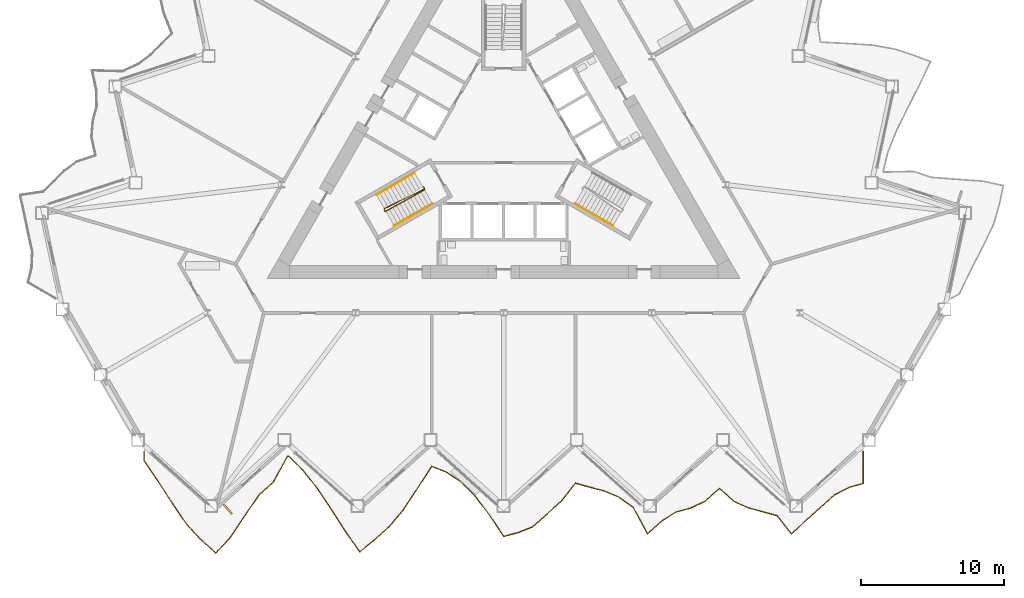
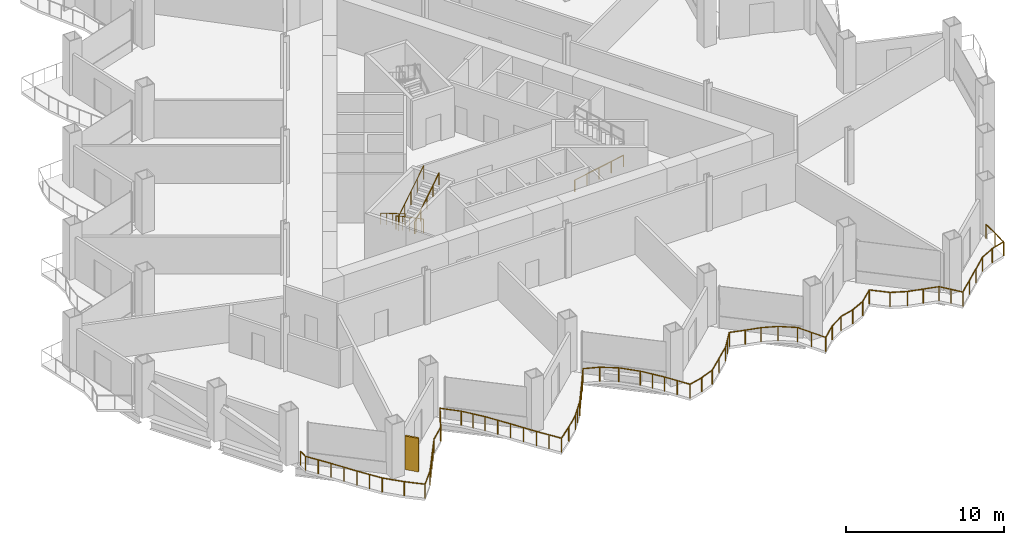
# One storey, part 17 of 21: 5 railings, 1 shading device.
"""IFC4 building model written with IfcOpenShell, lengths in metres."""

from ifc_helpers import new_model, si_unit, direction, frame, origin, origin_2d, place, context, subcontext, project, spatial, rectangle, circle, extrude, material, layer, layer_set, type_object, element, save


model = new_model("IFC4")

# Units and contexts
model_context = context("Model", 3, precision=1e-05, world=origin(), true_north=direction((0.0, 1.0)))
body_context = subcontext(model_context, "Body", "Model", "MODEL_VIEW")
ifc_project = project(units=[si_unit("LENGTHUNIT", "METRE"), si_unit("AREAUNIT", "SQUARE_METRE"), si_unit("VOLUMEUNIT", "CUBIC_METRE"), si_unit("PLANEANGLEUNIT", "RADIAN"), si_unit("MASSUNIT", "GRAM", prefix="KILO")], contexts=[model_context])

# Site, building, storey
site_placement = place(None, origin())
site = spatial("IfcSite", under=ifc_project, at=site_placement, CompositionType="ELEMENT")
building_placement = place(site_placement, origin())
building = spatial("IfcBuilding", under=site, at=building_placement, Name="Cormorant Prow Tower", CompositionType="ELEMENT")
storey_placement = place(building_placement, frame((0.0, 0.0, 116.39990234375)))
storey = spatial("IfcBuildingStorey", under=building, at=storey_placement, Name="L24", CompositionType="ELEMENT", Elevation=116.39990234375)

# Railings
ifc_material_1 = material(Name="Aluminium 6063-T6", Category="aluminium")
railing_type_1 = type_object("IfcRailingType", Name="Balcony guard 1100", PredefinedType="GUARDRAIL", material=ifc_material_1)
railing_1_placement = place(storey_placement, frame((-25.090087890625, -21.60546875, 0.0)))
element("IfcRailing", 1, at=railing_1_placement, inside=storey, type_object=railing_type_1, Name="Balcony guard S", PredefinedType="GUARDRAIL", context=body_context, shape_type="SweptSolid", body=[
    extrude(circle(Radius=0.02392578125, at=origin_2d()), frame((0.0, 0.0, 1.076171875), z_axis=(0.0, -1.0, 0.0), x_axis=(1.0, 0.0, 0.0)), (0.0, 0.0, 1.0), 0.63623046875),
    extrude(circle(Radius=0.02392578125, at=origin_2d()), frame((0.0, -0.63623046875, 1.076171875), z_axis=(0.563273034102, -0.82627083275, 0.0), x_axis=(0.82627083275, 0.563273034102, 0.0)), (0.0, 0.0, 1.0), 1.781494140625),
    extrude(circle(Radius=0.02392578125, at=origin_2d()), frame((1.00341796875, -2.108154296875, 1.076171875), z_axis=(0.541349794121, -0.840797478829, 0.0), x_axis=(0.840797478829, 0.541349794121, 0.0)), (0.0, 0.0, 1.0), 1.85400390625),
    extrude(circle(Radius=0.02392578125, at=origin_2d()), frame((2.007080078125, -3.6669921875, 1.076171875), z_axis=(0.565028770778, -0.825071201893, 0.0), x_axis=(0.825071201893, 0.565028770778, 0.0)), (0.0, 0.0, 1.0), 1.7763671875),
    extrude(circle(Radius=0.02392578125, at=origin_2d()), frame((3.0107421875, -5.132568359375, 1.076171875), z_axis=(0.690288024563, -0.723534686899, 0.0), x_axis=(0.723534686899, 0.690288024563, 0.0)), (0.0, 0.0, 1.0), 1.453857421875),
    extrude(circle(Radius=0.02392578125, at=origin_2d()), frame((4.014404296875, -6.1845703125, 1.076171875), z_axis=(0.743195257304, -0.669074591896, 0.0), x_axis=(0.669074591896, 0.743195257304, 0.0)), (0.0, 0.0, 1.0), 1.3505859375),
    extrude(circle(Radius=0.02392578125, at=origin_2d()), frame((5.01806640625, -7.088134765625, 1.076171875), z_axis=(0.671858739317, 0.740679306045, 0.0), x_axis=(-0.740679306045, 0.671858739317, 0.0)), (0.0, 0.0, 1.0), 1.493408203125),
    extrude(circle(Radius=0.02392578125, at=origin_2d()), frame((6.021484375, -5.98193359375, 1.076171875), z_axis=(0.560064685087, 0.828448881054, 0.0), x_axis=(-0.828448881054, 0.560064685087, 0.0)), (0.0, 0.0, 1.0), 1.7919921875),
    extrude(circle(Radius=0.02392578125, at=origin_2d()), frame((7.025146484375, -4.497314453125, 1.076171875), z_axis=(0.56387723091, 0.825858624984, 0.0), x_axis=(-0.825858624984, 0.56387723091, 0.0)), (0.0, 0.0, 1.0), 1.780029296875),
    extrude(circle(Radius=0.02392578125, at=origin_2d()), frame((8.02880859375, -3.02734375, 1.076171875), z_axis=(0.743105367012, 0.669174426826, 0.0), x_axis=(-0.669174426826, 0.743105367012, 0.0)), (0.0, 0.0, 1.0), 1.3505859375),
    extrude(circle(Radius=0.02392578125, at=origin_2d()), frame((9.032470703125, -2.12353515625, 1.076171875), z_axis=(0.480768788169, 0.876847405381, 0.0), x_axis=(-0.876847405381, 0.480768788169, 0.0)), (0.0, 0.0, 1.0), 2.087158203125),
    extrude(circle(Radius=0.02392578125, at=origin_2d()), frame((10.035888671875, -0.29345703125, 1.076171875), z_axis=(0.726272924684, -0.68740645827, 0.0), x_axis=(0.68740645827, 0.726272924684, 0.0)), (0.0, 0.0, 1.0), 1.3818359375),
    extrude(circle(Radius=0.02392578125, at=origin_2d()), frame((11.03955078125, -1.243408203125, 1.076171875), z_axis=(0.618784981269, -0.785560403124, 0.0), x_axis=(0.785560403124, 0.618784981269, 0.0)), (0.0, 0.0, 1.0), 1.6220703125),
    extrude(circle(Radius=0.02392578125, at=origin_2d()), frame((12.043212890625, -2.517578125, 1.076171875), z_axis=(0.556980517301, -0.830525558515, 0.0), x_axis=(0.830525558515, 0.556980517301, 0.0)), (0.0, 0.0, 1.0), 1.802001953125),
    extrude(circle(Radius=0.02392578125, at=origin_2d()), frame((13.046875, -4.01416015625, 1.076171875), z_axis=(0.541916624032, -0.840432253426, 0.0), x_axis=(0.840432253426, 0.541916624032, 0.0)), (0.0, 0.0, 1.0), 1.8515625),
    extrude(circle(Radius=0.02392578125, at=origin_2d()), frame((14.05029296875, -5.5703125, 1.076171875), z_axis=(0.572732805864, -0.819742113769, 0.0), x_axis=(0.819742113769, 0.572732805864, 0.0)), (0.0, 0.0, 1.0), 1.75244140625),
    extrude(circle(Radius=0.02392578125, at=origin_2d()), frame((15.053955078125, -7.0068359375, 1.076171875), z_axis=(0.773546340467, 0.633739740864, 0.0), x_axis=(-0.633739740864, 0.773546340467, 0.0)), (0.0, 0.0, 1.0), 1.29736328125),
    extrude(circle(Radius=0.02392578125, at=origin_2d()), frame((16.0576171875, -6.1845703125, 1.076171875), z_axis=(0.743195257304, 0.669074591896, 0.0), x_axis=(-0.669074591896, 0.743195257304, 0.0)), (0.0, 0.0, 1.0), 1.3505859375),
    extrude(circle(Radius=0.02392578125, at=origin_2d()), frame((17.061279296875, -5.281005859375, 1.076171875), z_axis=(0.646830511403, 0.762633784668, 0.0), x_axis=(-0.762633784668, 0.646830511403, 0.0)), (0.0, 0.0, 1.0), 1.5517578125),
    extrude(circle(Radius=0.02392578125, at=origin_2d()), frame((18.06494140625, -4.09765625, 1.076171875), z_axis=(0.554233434117, 0.832361280038, 0.0), x_axis=(-0.832361280038, 0.554233434117, 0.0)), (0.0, 0.0, 1.0), 1.810791015625),
    extrude(circle(Radius=0.02392578125, at=origin_2d()), frame((19.068603515625, -2.59033203125, 1.076171875), z_axis=(0.542638004838, 0.839966663449, 0.0), x_axis=(-0.839966663449, 0.542638004838, 0.0)), (0.0, 0.0, 1.0), 1.84912109375),
    extrude(circle(Radius=0.02392578125, at=origin_2d()), frame((20.072021484375, -1.037109375, 1.076171875), z_axis=(0.933128983239, -0.359541792618, 0.0), x_axis=(0.359541792618, 0.933128983239, 0.0)), (0.0, 0.0, 1.0), 1.07568359375),
    extrude(circle(Radius=0.02392578125, at=origin_2d()), frame((21.07568359375, -1.423828125, 1.076171875), z_axis=(0.834913663391, -0.550380935974, 0.0), x_axis=(0.550380935974, 0.834913663391, 0.0)), (0.0, 0.0, 1.0), 1.2021484375),
    extrude(circle(Radius=0.02392578125, at=origin_2d()), frame((22.079345703125, -2.08544921875, 1.076171875), z_axis=(0.707536920845, -0.706676379711, 0.0), x_axis=(0.706676379711, 0.707536920845, 0.0)), (0.0, 0.0, 1.0), 1.41845703125),
    extrude(circle(Radius=0.02392578125, at=origin_2d()), frame((23.0830078125, -3.087890625, 1.076171875), z_axis=(0.606140966144, -0.795357233677, 0.0), x_axis=(0.795357233677, 0.606140966144, 0.0)), (0.0, 0.0, 1.0), 1.655517578125),
    extrude(circle(Radius=0.02392578125, at=origin_2d()), frame((24.08642578125, -4.404541015625, 1.076171875), z_axis=(0.551754340842, -0.834006683044, 0.0), x_axis=(0.834006683044, 0.551754340842, 0.0)), (0.0, 0.0, 1.0), 1.819091796875),
    extrude(circle(Radius=0.02392578125, at=origin_2d()), frame((25.090087890625, -5.921630859375, 1.076171875), z_axis=(0.968499426252, 0.249015785344, 0.0), x_axis=(-0.249015785344, 0.968499426252, 0.0)), (0.0, 0.0, 1.0), 1.036376953125),
    extrude(circle(Radius=0.02392578125, at=origin_2d()), frame((26.09375, -5.66357421875, 1.076171875), z_axis=(0.927774479402, 0.373141414708, 0.0), x_axis=(-0.373141414708, 0.927774479402, 0.0)), (0.0, 0.0, 1.0), 1.08154296875),
    extrude(circle(Radius=0.02392578125, at=origin_2d()), frame((27.09716796875, -5.260009765625, 1.076171875), z_axis=(0.750865676171, 0.660454946494, 0.0), x_axis=(-0.660454946494, 0.750865676171, 0.0)), (0.0, 0.0, 1.0), 1.336669921875),
    extrude(circle(Radius=0.02392578125, at=origin_2d()), frame((28.100830078125, -4.377197265625, 1.076171875), z_axis=(0.743195257304, 0.669074591896, 0.0), x_axis=(-0.669074591896, 0.743195257304, 0.0)), (0.0, 0.0, 1.0), 1.3505859375),
    extrude(circle(Radius=0.02392578125, at=origin_2d()), frame((29.1044921875, -3.4736328125, 1.076171875), z_axis=(0.621500310543, 0.783413916136, 0.0), x_axis=(-0.783413916136, 0.621500310543, 0.0)), (0.0, 0.0, 1.0), 1.614990234375),
    extrude(circle(Radius=0.02392578125, at=origin_2d()), frame((30.108154296875, -2.20849609375, 1.076171875), z_axis=(0.962890989159, -0.26989061302, 0.0), x_axis=(0.26989061302, 0.962890989159, 0.0)), (0.0, 0.0, 1.0), 1.0419921875),
    extrude(circle(Radius=0.02392578125, at=origin_2d()), frame((31.111572265625, -2.48974609375, 1.076171875), z_axis=(0.967296661406, -0.253647725856, 0.0), x_axis=(0.253647725856, 0.967296661406, 0.0)), (0.0, 0.0, 1.0), 1.03759765625),
    extrude(circle(Radius=0.02392578125, at=origin_2d()), frame((32.115234375, -2.7529296875, 1.076171875), z_axis=(0.922191801101, -0.386732830236, 0.0), x_axis=(0.386732830236, 0.922191801101, 0.0)), (0.0, 0.0, 1.0), 1.08837890625),
    extrude(circle(Radius=0.02392578125, at=origin_2d()), frame((33.118896484375, -3.173828125, 1.076171875), z_axis=(0.815833326743, -0.578287111196, 0.0), x_axis=(0.578287111196, 0.815833326743, 0.0)), (0.0, 0.0, 1.0), 1.230224609375),
    extrude(circle(Radius=0.02392578125, at=origin_2d()), frame((34.12255859375, -3.88525390625, 1.076171875), z_axis=(0.476260755837, -0.879304095549, 0.0), x_axis=(0.879304095549, 0.476260755837, 0.0)), (0.0, 0.0, 1.0), 2.107421875),
    extrude(circle(Radius=0.02392578125, at=origin_2d()), frame((35.126220703125, -5.73828125, 1.076171875), z_axis=(0.743105367012, 0.669174426826, 0.0), x_axis=(-0.669174426826, 0.743105367012, 0.0)), (0.0, 0.0, 1.0), 1.3505859375),
    extrude(circle(Radius=0.02392578125, at=origin_2d()), frame((36.1298828125, -4.83447265625, 1.076171875), z_axis=(0.85103207517, 0.525113708669, 0.0), x_axis=(-0.525113708669, 0.85103207517, 0.0)), (0.0, 0.0, 1.0), 1.178955078125),
    extrude(circle(Radius=0.02392578125, at=origin_2d()), frame((37.13330078125, -4.21533203125, 1.076171875), z_axis=(0.965839968869, 0.259139257033, 0.0), x_axis=(-0.259139257033, 0.965839968869, 0.0)), (0.0, 0.0, 1.0), 1.0390625),
    extrude(circle(Radius=0.02392578125, at=origin_2d()), frame((38.136962890625, -3.946044921875, 1.076171875), z_axis=(0.904783784271, 0.425871229035, 0.0), x_axis=(-0.425871229035, 0.904783784271, 0.0)), (0.0, 0.0, 1.0), 1.109375),
    extrude(circle(Radius=0.02392578125, at=origin_2d()), frame((39.140625, -3.4736328125, 1.076171875), z_axis=(0.743105367012, 0.669174426826, 0.0), x_axis=(-0.669174426826, 0.743105367012, 0.0)), (0.0, 0.0, 1.0), 1.3505859375),
    extrude(circle(Radius=0.02392578125, at=origin_2d()), frame((40.144287109375, -2.56982421875, 1.076171875), z_axis=(0.743024407273, -0.669264320128, 0.0), x_axis=(0.669264320128, 0.743024407273, 0.0)), (0.0, 0.0, 1.0), 1.350341796875),
    extrude(circle(Radius=0.02392578125, at=origin_2d()), frame((41.147705078125, -3.4736328125, 1.076171875), z_axis=(0.910502956481, -0.413502558927, 0.0), x_axis=(0.413502558927, 0.910502956481, 0.0)), (0.0, 0.0, 1.0), 1.102294921875),
    extrude(circle(Radius=0.02392578125, at=origin_2d()), frame((42.1513671875, -3.929443359375, 1.076171875), z_axis=(0.966484215483, -0.25672604313, 0.0), x_axis=(0.25672604313, 0.966484215483, 0.0)), (0.0, 0.0, 1.0), 1.03857421875),
    extrude(circle(Radius=0.02392578125, at=origin_2d()), frame((43.155029296875, -4.196044921875, 1.076171875), z_axis=(0.964116899719, -0.265478066281, 0.0), x_axis=(0.265478066281, 0.964116899719, 0.0)), (0.0, 0.0, 1.0), 1.041015625),
    extrude(circle(Radius=0.02392578125, at=origin_2d()), frame((44.15869140625, -4.472412109375, 1.076171875), z_axis=(0.621186733266, -0.783662581992, 0.0), x_axis=(0.783662581992, 0.621186733266, 0.0)), (0.0, 0.0, 1.0), 1.615234375),
    extrude(circle(Radius=0.02392578125, at=origin_2d()), frame((45.162109375, -5.73828125, 1.076171875), z_axis=(0.743105367012, 0.669174426826, 0.0), x_axis=(-0.669174426826, 0.743105367012, 0.0)), (0.0, 0.0, 1.0), 1.3505859375),
    extrude(circle(Radius=0.02392578125, at=origin_2d()), frame((46.165771484375, -4.83447265625, 1.076171875), z_axis=(0.743195257304, 0.669074591896, 0.0), x_axis=(-0.669074591896, 0.743195257304, 0.0)), (0.0, 0.0, 1.0), 1.3505859375),
    extrude(circle(Radius=0.02392578125, at=origin_2d()), frame((47.16943359375, -3.930908203125, 1.076171875), z_axis=(0.743195257304, 0.669074591896, 0.0), x_axis=(-0.669074591896, 0.743195257304, 0.0)), (0.0, 0.0, 1.0), 1.3505859375),
    extrude(circle(Radius=0.02392578125, at=origin_2d()), frame((48.173095703125, -3.02734375, 1.076171875), z_axis=(0.888515498383, 0.458846607411, 0.0), x_axis=(-0.458846607411, 0.888515498383, 0.0)), (0.0, 0.0, 1.0), 1.129638671875),
    extrude(circle(Radius=0.02392578125, at=origin_2d()), frame((49.1767578125, -2.509033203125, 1.076171875), z_axis=(0.962034583565, 0.272927572856, 0.0), x_axis=(-0.272927572856, 0.962034583565, 0.0)), (0.0, 0.0, 1.0), 1.04296875),
    extrude(circle(Radius=0.02392578125, at=origin_2d()), frame((50.18017578125, -2.224365234375, 1.076171875), z_axis=(0.0, 1.0, 0.0), x_axis=(-1.0, 0.0, 0.0)), (0.0, 0.0, 1.0), 2.224365234375),
    extrude(circle(Radius=0.02099609375, at=origin_2d()), origin(), (0.0, 0.0, 1.0), 1.052001953125),
    extrude(circle(Radius=0.02099609375, at=origin_2d()), frame((0.0, -0.63623046875, 0.0)), (0.0, 0.0, 1.0), 1.052001953125),
    extrude(circle(Radius=0.02099609375, at=origin_2d()), frame((0.501708984375, -1.3720703125, 0.0)), (0.0, 0.0, 1.0), 1.052001953125),
    extrude(circle(Radius=0.02099609375, at=origin_2d()), frame((1.00341796875, -2.108154296875, 0.0)), (0.0, 0.0, 1.0), 1.052001953125),
    extrude(circle(Radius=0.02099609375, at=origin_2d()), frame((1.50537109375, -2.8876953125, 0.0)), (0.0, 0.0, 1.0), 1.052001953125),
    extrude(circle(Radius=0.02099609375, at=origin_2d()), frame((2.007080078125, -3.6669921875, 0.0)), (0.0, 0.0, 1.0), 1.052001953125),
    extrude(circle(Radius=0.02099609375, at=origin_2d()), frame((2.5087890625, -4.39990234375, 0.0)), (0.0, 0.0, 1.0), 1.052001953125),
    extrude(circle(Radius=0.02099609375, at=origin_2d()), frame((3.0107421875, -5.132568359375, 0.0)), (0.0, 0.0, 1.0), 1.052001953125),
    extrude(circle(Radius=0.02099609375, at=origin_2d()), frame((4.014404296875, -6.1845703125, 0.0)), (0.0, 0.0, 1.0), 1.052001953125),
    extrude(circle(Radius=0.02099609375, at=origin_2d()), frame((5.01806640625, -7.088134765625, 0.0)), (0.0, 0.0, 1.0), 1.052001953125),
    extrude(circle(Radius=0.02099609375, at=origin_2d()), frame((6.021484375, -5.98193359375, 0.0)), (0.0, 0.0, 1.0), 1.052001953125),
    extrude(circle(Radius=0.02099609375, at=origin_2d()), frame((6.5234375, -5.23974609375, 0.0)), (0.0, 0.0, 1.0), 1.052001953125),
    extrude(circle(Radius=0.02099609375, at=origin_2d()), frame((7.025146484375, -4.497314453125, 0.0)), (0.0, 0.0, 1.0), 1.052001953125),
    extrude(circle(Radius=0.02099609375, at=origin_2d()), frame((7.52685546875, -3.76220703125, 0.0)), (0.0, 0.0, 1.0), 1.052001953125),
    extrude(circle(Radius=0.02099609375, at=origin_2d()), frame((8.02880859375, -3.02734375, 0.0)), (0.0, 0.0, 1.0), 1.052001953125),
    extrude(circle(Radius=0.02099609375, at=origin_2d()), frame((9.032470703125, -2.12353515625, 0.0)), (0.0, 0.0, 1.0), 1.052001953125),
    extrude(circle(Radius=0.02099609375, at=origin_2d()), frame((9.5341796875, -1.20849609375, 0.0)), (0.0, 0.0, 1.0), 1.052001953125),
    extrude(circle(Radius=0.02099609375, at=origin_2d()), frame((10.035888671875, -0.29345703125, 0.0)), (0.0, 0.0, 1.0), 1.052001953125),
    extrude(circle(Radius=0.02099609375, at=origin_2d()), frame((11.03955078125, -1.243408203125, 0.0)), (0.0, 0.0, 1.0), 1.052001953125),
    extrude(circle(Radius=0.02099609375, at=origin_2d()), frame((11.54150390625, -1.88037109375, 0.0)), (0.0, 0.0, 1.0), 1.052001953125),
    extrude(circle(Radius=0.02099609375, at=origin_2d()), frame((12.043212890625, -2.517578125, 0.0)), (0.0, 0.0, 1.0), 1.052001953125),
    extrude(circle(Radius=0.02099609375, at=origin_2d()), frame((12.544921875, -3.265869140625, 0.0)), (0.0, 0.0, 1.0), 1.052001953125),
    extrude(circle(Radius=0.02099609375, at=origin_2d()), frame((13.046875, -4.01416015625, 0.0)), (0.0, 0.0, 1.0), 1.052001953125),
    extrude(circle(Radius=0.02099609375, at=origin_2d()), frame((13.548583984375, -4.792236328125, 0.0)), (0.0, 0.0, 1.0), 1.052001953125),
    extrude(circle(Radius=0.02099609375, at=origin_2d()), frame((14.05029296875, -5.5703125, 0.0)), (0.0, 0.0, 1.0), 1.052001953125),
    extrude(circle(Radius=0.02099609375, at=origin_2d()), frame((14.55224609375, -6.28857421875, 0.0)), (0.0, 0.0, 1.0), 1.052001953125),
    extrude(circle(Radius=0.02099609375, at=origin_2d()), frame((15.053955078125, -7.0068359375, 0.0)), (0.0, 0.0, 1.0), 1.052001953125),
    extrude(circle(Radius=0.02099609375, at=origin_2d()), frame((16.0576171875, -6.1845703125, 0.0)), (0.0, 0.0, 1.0), 1.052001953125),
    extrude(circle(Radius=0.02099609375, at=origin_2d()), frame((17.061279296875, -5.281005859375, 0.0)), (0.0, 0.0, 1.0), 1.052001953125),
    extrude(circle(Radius=0.02099609375, at=origin_2d()), frame((17.56298828125, -4.689453125, 0.0)), (0.0, 0.0, 1.0), 1.052001953125),
    extrude(circle(Radius=0.02099609375, at=origin_2d()), frame((18.06494140625, -4.09765625, 0.0)), (0.0, 0.0, 1.0), 1.052001953125),
    extrude(circle(Radius=0.02099609375, at=origin_2d()), frame((18.56689453125, -3.343994140625, 0.0)), (0.0, 0.0, 1.0), 1.052001953125),
    extrude(circle(Radius=0.02099609375, at=origin_2d()), frame((19.068603515625, -2.59033203125, 0.0)), (0.0, 0.0, 1.0), 1.052001953125),
    extrude(circle(Radius=0.02099609375, at=origin_2d()), frame((19.5703125, -1.813720703125, 0.0)), (0.0, 0.0, 1.0), 1.052001953125),
    extrude(circle(Radius=0.02099609375, at=origin_2d()), frame((20.072021484375, -1.037109375, 0.0)), (0.0, 0.0, 1.0), 1.052001953125),
    extrude(circle(Radius=0.02099609375, at=origin_2d()), frame((21.07568359375, -1.423828125, 0.0)), (0.0, 0.0, 1.0), 1.052001953125),
    extrude(circle(Radius=0.02099609375, at=origin_2d()), frame((22.079345703125, -2.08544921875, 0.0)), (0.0, 0.0, 1.0), 1.052001953125),
    extrude(circle(Radius=0.02099609375, at=origin_2d()), frame((23.0830078125, -3.087890625, 0.0)), (0.0, 0.0, 1.0), 1.052001953125),
    extrude(circle(Radius=0.02099609375, at=origin_2d()), frame((23.584716796875, -3.74609375, 0.0)), (0.0, 0.0, 1.0), 1.052001953125),
    extrude(circle(Radius=0.02099609375, at=origin_2d()), frame((24.08642578125, -4.404541015625, 0.0)), (0.0, 0.0, 1.0), 1.052001953125),
    extrude(circle(Radius=0.02099609375, at=origin_2d()), frame((24.58837890625, -5.1630859375, 0.0)), (0.0, 0.0, 1.0), 1.052001953125),
    extrude(circle(Radius=0.02099609375, at=origin_2d()), frame((25.090087890625, -5.921630859375, 0.0)), (0.0, 0.0, 1.0), 1.052001953125),
    extrude(circle(Radius=0.02099609375, at=origin_2d()), frame((26.09375, -5.66357421875, 0.0)), (0.0, 0.0, 1.0), 1.052001953125),
    extrude(circle(Radius=0.02099609375, at=origin_2d()), frame((27.09716796875, -5.260009765625, 0.0)), (0.0, 0.0, 1.0), 1.052001953125),
    extrude(circle(Radius=0.02099609375, at=origin_2d()), frame((28.100830078125, -4.377197265625, 0.0)), (0.0, 0.0, 1.0), 1.052001953125),
    extrude(circle(Radius=0.02099609375, at=origin_2d()), frame((29.1044921875, -3.4736328125, 0.0)), (0.0, 0.0, 1.0), 1.052001953125),
    extrude(circle(Radius=0.02099609375, at=origin_2d()), frame((29.6064453125, -2.841064453125, 0.0)), (0.0, 0.0, 1.0), 1.052001953125),
    extrude(circle(Radius=0.02099609375, at=origin_2d()), frame((30.108154296875, -2.20849609375, 0.0)), (0.0, 0.0, 1.0), 1.052001953125),
    extrude(circle(Radius=0.02099609375, at=origin_2d()), frame((31.111572265625, -2.48974609375, 0.0)), (0.0, 0.0, 1.0), 1.052001953125),
    extrude(circle(Radius=0.02099609375, at=origin_2d()), frame((32.115234375, -2.7529296875, 0.0)), (0.0, 0.0, 1.0), 1.052001953125),
    extrude(circle(Radius=0.02099609375, at=origin_2d()), frame((33.118896484375, -3.173828125, 0.0)), (0.0, 0.0, 1.0), 1.052001953125),
    extrude(circle(Radius=0.02099609375, at=origin_2d()), frame((34.12255859375, -3.88525390625, 0.0)), (0.0, 0.0, 1.0), 1.052001953125),
    extrude(circle(Radius=0.02099609375, at=origin_2d()), frame((34.62451171875, -4.811767578125, 0.0)), (0.0, 0.0, 1.0), 1.052001953125),
    extrude(circle(Radius=0.02099609375, at=origin_2d()), frame((35.126220703125, -5.73828125, 0.0)), (0.0, 0.0, 1.0), 1.052001953125),
    extrude(circle(Radius=0.02099609375, at=origin_2d()), frame((36.1298828125, -4.83447265625, 0.0)), (0.0, 0.0, 1.0), 1.052001953125),
    extrude(circle(Radius=0.02099609375, at=origin_2d()), frame((37.13330078125, -4.21533203125, 0.0)), (0.0, 0.0, 1.0), 1.052001953125),
    extrude(circle(Radius=0.02099609375, at=origin_2d()), frame((38.136962890625, -3.946044921875, 0.0)), (0.0, 0.0, 1.0), 1.052001953125),
    extrude(circle(Radius=0.02099609375, at=origin_2d()), frame((39.140625, -3.4736328125, 0.0)), (0.0, 0.0, 1.0), 1.052001953125),
    extrude(circle(Radius=0.02099609375, at=origin_2d()), frame((40.144287109375, -2.56982421875, 0.0)), (0.0, 0.0, 1.0), 1.052001953125),
    extrude(circle(Radius=0.02099609375, at=origin_2d()), frame((41.147705078125, -3.4736328125, 0.0)), (0.0, 0.0, 1.0), 1.052001953125),
    extrude(circle(Radius=0.02099609375, at=origin_2d()), frame((42.1513671875, -3.929443359375, 0.0)), (0.0, 0.0, 1.0), 1.052001953125),
    extrude(circle(Radius=0.02099609375, at=origin_2d()), frame((43.155029296875, -4.196044921875, 0.0)), (0.0, 0.0, 1.0), 1.052001953125),
    extrude(circle(Radius=0.02099609375, at=origin_2d()), frame((44.15869140625, -4.472412109375, 0.0)), (0.0, 0.0, 1.0), 1.052001953125),
    extrude(circle(Radius=0.02099609375, at=origin_2d()), frame((44.660400390625, -5.10546875, 0.0)), (0.0, 0.0, 1.0), 1.052001953125),
    extrude(circle(Radius=0.02099609375, at=origin_2d()), frame((45.162109375, -5.73828125, 0.0)), (0.0, 0.0, 1.0), 1.052001953125),
    extrude(circle(Radius=0.02099609375, at=origin_2d()), frame((46.165771484375, -4.83447265625, 0.0)), (0.0, 0.0, 1.0), 1.052001953125),
    extrude(circle(Radius=0.02099609375, at=origin_2d()), frame((47.16943359375, -3.930908203125, 0.0)), (0.0, 0.0, 1.0), 1.052001953125),
    extrude(circle(Radius=0.02099609375, at=origin_2d()), frame((48.173095703125, -3.02734375, 0.0)), (0.0, 0.0, 1.0), 1.052001953125),
    extrude(circle(Radius=0.02099609375, at=origin_2d()), frame((49.1767578125, -2.509033203125, 0.0)), (0.0, 0.0, 1.0), 1.052001953125),
    extrude(circle(Radius=0.02099609375, at=origin_2d()), frame((50.18017578125, -2.224365234375, 0.0)), (0.0, 0.0, 1.0), 1.052001953125),
    extrude(circle(Radius=0.02099609375, at=origin_2d()), frame((50.18017578125, -1.1123046875, 0.0)), (0.0, 0.0, 1.0), 1.052001953125),
    extrude(circle(Radius=0.02099609375, at=origin_2d()), frame((50.18017578125, 0.0, 0.0)), (0.0, 0.0, 1.0), 1.052001953125),
])
ifc_material_2 = material(Name="Stainless steel", Category="steel")
railing_type_2 = type_object("IfcRailingType", Name="Stair guard 1100", PredefinedType="GUARDRAIL", material=ifc_material_2)
railing_2_placement = place(storey_placement, frame((-5.585205078125, -3.137939453125, 0.0)))
element("IfcRailing", 2, at=railing_2_placement, inside=storey, type_object=railing_type_2, Name="L24 ST1 stair guard 1", PredefinedType="GUARDRAIL", context=body_context, shape_type="SweptSolid", body=[
    extrude(circle(Radius=0.02392578125, at=origin_2d()), frame((0.0, 0.0, 1.076171875), z_axis=(0.501036270542, -0.865426285481, 0.0), x_axis=(0.865426285481, 0.501036270542, 0.0)), (0.0, 0.0, 1.0), 0.150146484375),
    extrude(circle(Radius=0.02392578125, at=origin_2d()), frame((0.0751953125, -0.1298828125, 1.076171875), z_axis=(-0.744644002882, -0.368732342607, 0.556364780057), x_axis=(0.443754251299, -0.896148516963, 0.0)), (0.0, 0.0, 1.0), 3.774658203125),
    extrude(circle(Radius=0.02392578125, at=origin_2d()), frame((-2.735595703125, -1.521728515625, 3.17626953125), z_axis=(0.274721127897, -0.961523947641, 0.0), x_axis=(0.961523947641, 0.274721127897, 0.0)), (0.0, 0.0, 1.0), 0.2060546875),
    extrude(circle(Radius=0.02392578125, at=origin_2d()), frame((-2.678955078125, -1.719970703125, 3.17626953125), z_axis=(0.725738344322, 0.403670096391, 0.557094524171), x_axis=(-0.486086505765, 0.873910698477, 0.0)), (0.0, 0.0, 1.0), 3.769775390625),
    extrude(circle(Radius=0.02099609375, at=origin_2d()), origin(), (0.0, 0.0, 1.0), 1.052001953125),
    extrude(circle(Radius=0.02099609375, at=origin_2d()), frame((0.0751953125, -0.1298828125, 0.0)), (0.0, 0.0, 1.0), 1.052001953125),
    extrude(circle(Radius=0.02099609375, at=origin_2d()), frame((-0.62744140625, -0.477783203125, 0.52490234375)), (0.0, 0.0, 1.0), 1.052001953125),
    extrude(circle(Radius=0.02099609375, at=origin_2d()), frame((-1.330078125, -0.82568359375, 1.050048828125)), (0.0, 0.0, 1.0), 1.052001953125),
    extrude(circle(Radius=0.02099609375, at=origin_2d()), frame((-2.032958984375, -1.173828125, 1.5751953125)), (0.0, 0.0, 1.0), 1.052001953125),
    extrude(circle(Radius=0.02099609375, at=origin_2d()), frame((-2.735595703125, -1.521728515625, 2.10009765625)), (0.0, 0.0, 1.0), 1.052001953125),
    extrude(circle(Radius=0.02099609375, at=origin_2d()), frame((-2.678955078125, -1.719970703125, 2.10009765625)), (0.0, 0.0, 1.0), 1.052001953125),
    extrude(circle(Radius=0.02099609375, at=origin_2d()), frame((-1.9951171875, -1.339599609375, 2.625)), (0.0, 0.0, 1.0), 1.052001953125),
    extrude(circle(Radius=0.02099609375, at=origin_2d()), frame((-1.31103515625, -0.958984375, 3.150146484375)), (0.0, 0.0, 1.0), 1.052001953125),
    extrude(circle(Radius=0.02099609375, at=origin_2d()), frame((-0.626953125, -0.57861328125, 3.67529296875)), (0.0, 0.0, 1.0), 1.052001953125),
    extrude(circle(Radius=0.02099609375, at=origin_2d()), frame((0.056884765625, -0.1982421875, 4.2001953125)), (0.0, 0.0, 1.0), 1.052001953125),
])
ifc_material_3 = material(Name="Stainless steel", Category="steel")
railing_type_3 = type_object("IfcRailingType", Name="Stair handrail 900", PredefinedType="HANDRAIL", material=ifc_material_3)
railing_3_placement = place(storey_placement, frame((-6.212890625, -2.150634765625, 0.175048828125)))
element("IfcRailing", 3, at=railing_3_placement, inside=storey, type_object=railing_type_3, Name="L24 ST1 stair handrail 1", PredefinedType="HANDRAIL", context=body_context, shape_type="SweptSolid", body=[
    extrude(circle(Radius=0.02392578125, at=origin_2d()), frame((0.0, 0.0, 0.8759765625), z_axis=(-0.734394994316, -0.423994474112, 0.52999309264), x_axis=(0.499992328818, -0.866029832698, 0.0)), (0.0, 0.0, 1.0), 3.63232421875),
    extrude(circle(Radius=0.02099609375, at=origin_2d()), origin(), (0.0, 0.0, 1.0), 0.851806640625),
    extrude(circle(Radius=0.02099609375, at=origin_2d()), frame((-0.6669921875, -0.385009765625, 0.481201171875)), (0.0, 0.0, 1.0), 0.851806640625),
    extrude(circle(Radius=0.02099609375, at=origin_2d()), frame((-1.333740234375, -0.77001953125, 0.96240234375)), (0.0, 0.0, 1.0), 0.851806640625),
    extrude(circle(Radius=0.02099609375, at=origin_2d()), frame((-2.00048828125, -1.155029296875, 1.44384765625)), (0.0, 0.0, 1.0), 0.851806640625),
    extrude(circle(Radius=0.02099609375, at=origin_2d()), frame((-2.66748046875, -1.5400390625, 1.925048828125)), (0.0, 0.0, 1.0), 0.851806640625),
])
railing_4_placement = place(storey_placement, frame((-7.63623046875, -5.84521484375, 2.275146484375)))
element("IfcRailing", 4, at=railing_4_placement, inside=storey, type_object=railing_type_3, Name="L24 ST1 stair handrail 2", PredefinedType="HANDRAIL", context=body_context, shape_type="SweptSolid", body=[
    extrude(circle(Radius=0.02392578125, at=origin_2d()), frame((0.0, 0.0, 0.8759765625), z_axis=(0.734364028329, 0.424015404183, 0.530019255228), x_axis=(-0.500026652407, 0.866010015463, 0.0)), (0.0, 0.0, 1.0), 3.632080078125),
    extrude(circle(Radius=0.02099609375, at=origin_2d()), origin(), (0.0, 0.0, 1.0), 0.851806640625),
    extrude(circle(Radius=0.02099609375, at=origin_2d()), frame((0.666748046875, 0.385009765625, 0.481201171875)), (0.0, 0.0, 1.0), 0.851806640625),
    extrude(circle(Radius=0.02099609375, at=origin_2d()), frame((1.33349609375, 0.77001953125, 0.96240234375)), (0.0, 0.0, 1.0), 0.851806640625),
    extrude(circle(Radius=0.02099609375, at=origin_2d()), frame((2.00048828125, 1.155029296875, 1.44384765625)), (0.0, 0.0, 1.0), 0.851806640625),
    extrude(circle(Radius=0.02099609375, at=origin_2d()), frame((2.667236328125, 1.5400390625, 1.925048828125)), (0.0, 0.0, 1.0), 0.851806640625),
])
railing_5_placement = place(storey_placement, frame((4.968994140625, -4.30517578125, 0.175048828125)))
element("IfcRailing", 5, at=railing_5_placement, inside=storey, type_object=railing_type_3, Name="L24 ST2 stair handrail 1", PredefinedType="HANDRAIL", context=body_context, shape_type="SweptSolid", body=[
    extrude(circle(Radius=0.02392578125, at=origin_2d()), frame((0.0, 0.0, 0.8759765625), z_axis=(0.734364028329, -0.424015404183, 0.530019255228), x_axis=(0.500026652407, 0.866010015463, 0.0)), (0.0, 0.0, 1.0), 3.632080078125),
    extrude(circle(Radius=0.02099609375, at=origin_2d()), origin(), (0.0, 0.0, 1.0), 0.851806640625),
    extrude(circle(Radius=0.02099609375, at=origin_2d()), frame((0.666748046875, -0.385009765625, 0.481201171875)), (0.0, 0.0, 1.0), 0.851806640625),
    extrude(circle(Radius=0.02099609375, at=origin_2d()), frame((1.33349609375, -0.77001953125, 0.96240234375)), (0.0, 0.0, 1.0), 0.851806640625),
    extrude(circle(Radius=0.02099609375, at=origin_2d()), frame((2.00048828125, -1.155029296875, 1.44384765625)), (0.0, 0.0, 1.0), 0.851806640625),
    extrude(circle(Radius=0.02099609375, at=origin_2d()), frame((2.667236328125, -1.5400390625, 1.925048828125)), (0.0, 0.0, 1.0), 0.851806640625),
])

# Shading device
ifc_material_4 = material(Name="Terracotta", Category="masonry")
ifc_layer = layer(ifc_material_4, 0.1201171875)
ifc_layer_set = layer_set([ifc_layer], Name="Terracotta")
shading_device_type = type_object("IfcShadingDeviceType", Name="Terracotta baguette fin 120x900x2600", PredefinedType="USERDEFINED", material=ifc_layer_set)
shading_device_placement = place(storey_placement, frame((-19.25390625, -25.6123046875, 0.0), z_axis=(0.0, 0.0, 1.0), x_axis=(0.74314483343, 0.669130597526, 0.0)))
element("IfcShadingDevice", 6, at=shading_device_placement, inside=storey, type_object=shading_device_type, Name="Baguette fin S01", ObjectType="BAGUETTE", PredefinedType="USERDEFINED", context=body_context, shape_type="SweptSolid", body=[
    extrude(rectangle(XDim=0.1201171875, YDim=0.89990234375, at=origin_2d()), origin(), (0.0, 0.0, 1.0), 2.60009765625),
])

save(model, "model.ifc")
